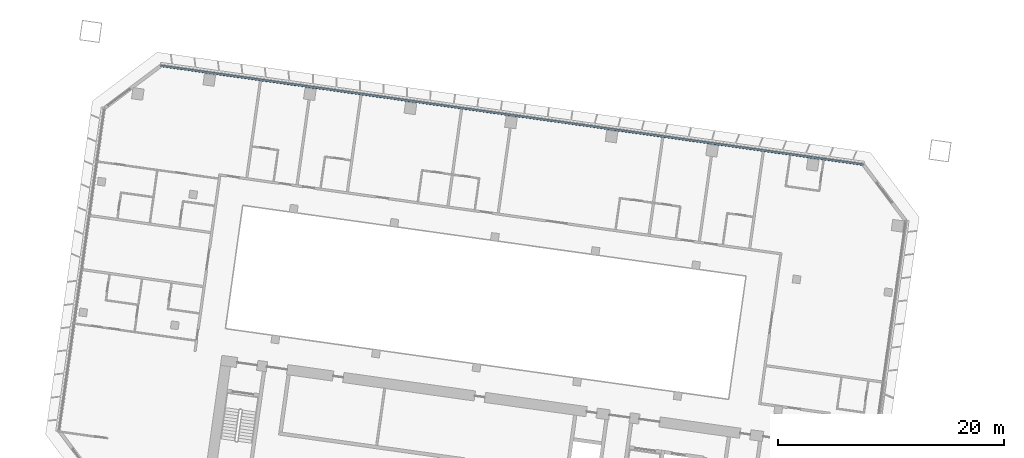
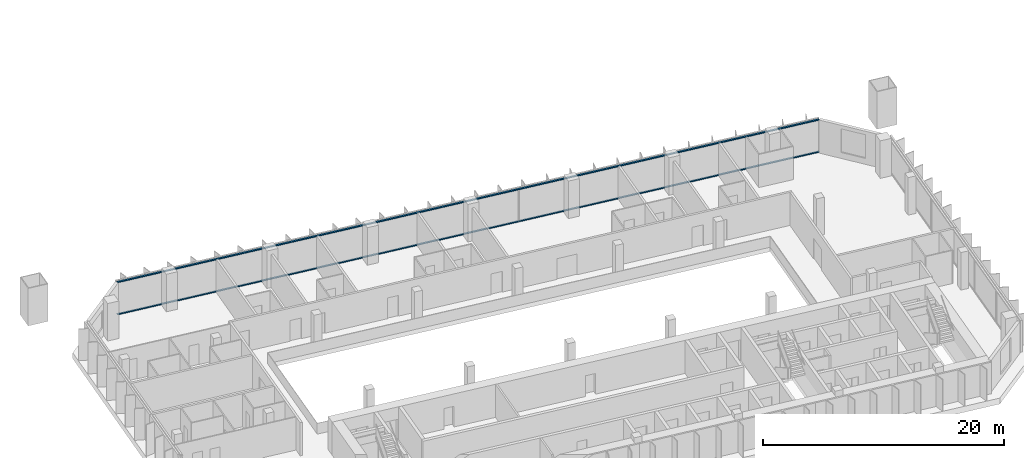
# One storey, part 4 of 24: 2 members, 1 element without a shape of its own.
"""IFC4 building model written with IfcOpenShell, lengths in metres."""

from ifc_helpers import new_model, si_unit, direction, frame, origin, origin_2d, place, context, subcontext, project, spatial, rectangle, extrude, material, material_profile, profile_set, type_object, element, aggregate, save


model = new_model("IFC4")

# Units and contexts
model_context = context("Model", 3, precision=1e-05, world=origin(), true_north=direction((0.0, 1.0)))
body_context = subcontext(model_context, "Body", "Model", "MODEL_VIEW")
ifc_project = project(units=[si_unit("LENGTHUNIT", "METRE"), si_unit("AREAUNIT", "SQUARE_METRE"), si_unit("VOLUMEUNIT", "CUBIC_METRE"), si_unit("PLANEANGLEUNIT", "RADIAN"), si_unit("MASSUNIT", "GRAM", prefix="KILO")], contexts=[model_context])

# Site, building, storey
site_placement = place(None, origin())
site = spatial("IfcSite", under=ifc_project, at=site_placement, CompositionType="ELEMENT")
building_placement = place(site_placement, origin())
building = spatial("IfcBuilding", under=site, at=building_placement, Name="Mirante Cascada Hotel Towers", CompositionType="ELEMENT")
storey_placement = place(building_placement, frame((0.0, 0.0, 77.5)))
storey = spatial("IfcBuildingStorey", under=building, at=storey_placement, Name="L16", CompositionType="ELEMENT", Elevation=77.5)

# Curtain wall, members
ifc_material_1 = material(Name="Aluminium mullion and transom frame with clear laminated glass", Category="aluminium")
curtain_wall_type = type_object("IfcCurtainWallType", Name="Ribbon curtain wall ECW1", PredefinedType="NOTDEFINED", material=ifc_material_1)
curtain_wall_placement = place(storey_placement, origin())
curtain_wall = element("IfcCurtainWall", 1, at=curtain_wall_placement, inside=storey, type_object=curtain_wall_type, Name="Front ribbon wall T1 L16", PredefinedType="NOTDEFINED")
ifc_material_2 = material(Name="Anodised aluminium extrusion", Category="aluminium")
ifc_material_profile = material_profile(ifc_material_2, rectangle(XDim=0.16, YDim=0.1, at=origin_2d()), Name="ECW1 TRANSOM 100x160")
ifc_profile_set = profile_set([ifc_material_profile], Name="Anodised aluminium extrusion")
member_type = type_object("IfcMemberType", Name="ECW1 transom 100x160", PredefinedType="USERDEFINED", material=ifc_profile_set)
member_1_placement = place(storey_placement, frame((-94.1582, 26.0521, 0.05), z_axis=(0.9902681, -0.1391728, 0.0), x_axis=(0.1391728, 0.9902681, 0.0)))
member_1 = element("IfcMember", 2, at=member_1_placement, type_object=member_type, Name="ECW1 sill transom", ObjectType="TRANSOM", PredefinedType="USERDEFINED", context=body_context, shape_type="SweptSolid", body=[
    extrude(rectangle(XDim=0.16, YDim=0.1, at=origin_2d()), origin(), (0.0, 0.0, 1.0), 62.8758),
])
member_2_placement = place(storey_placement, frame((-94.1582, 26.0521, 3.3), z_axis=(0.9902681, -0.1391728, 0.0), x_axis=(0.1391728, 0.9902681, 0.0)))
member_2 = element("IfcMember", 3, at=member_2_placement, type_object=member_type, Name="ECW1 head transom", ObjectType="TRANSOM", PredefinedType="USERDEFINED", context=body_context, shape_type="SweptSolid", body=[
    extrude(rectangle(XDim=0.16, YDim=0.1, at=origin_2d()), origin(), (0.0, 0.0, 1.0), 62.8758),
])
aggregate(curtain_wall, [member_1, member_2])

save(model, "model.ifc")
